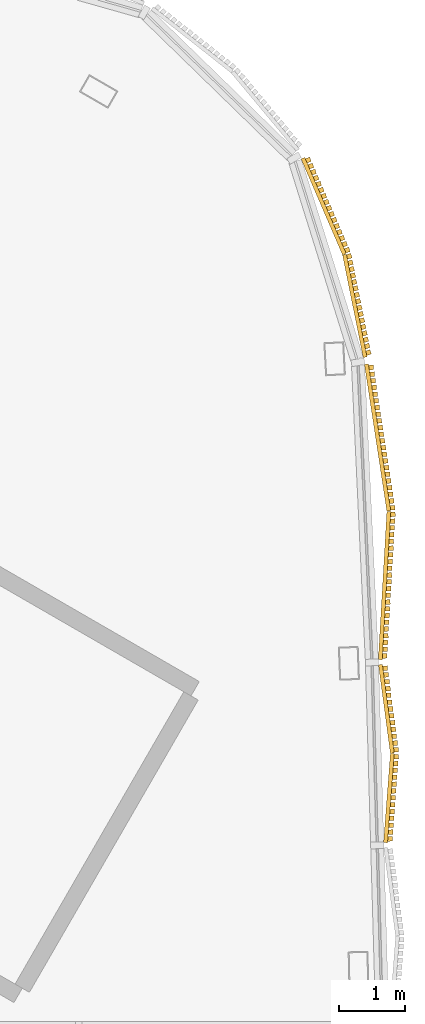
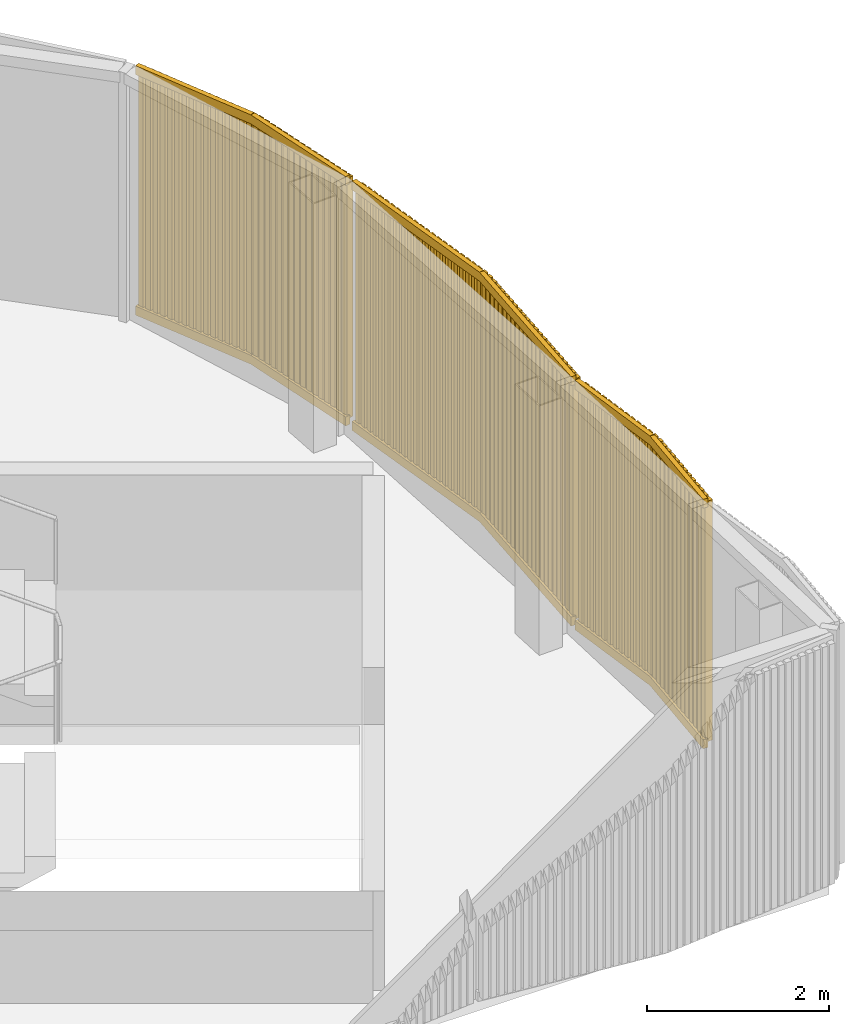
# One storey, part 15 of 16: 3 coverings.
"""IFC4 building model written with IfcOpenShell, lengths in metres."""

from ifc_helpers import new_model, si_unit, direction, frame, frame_2d, origin, place, context, subcontext, project, spatial, rectangle, extrude, source, transform, mapped, material, type_object, element, save


model = new_model("IFC4")

# Units and contexts
model_context = context("Model", 3, precision=1e-05, world=origin(), true_north=direction((0.0, 1.0)))
body_context = subcontext(model_context, "Body", "Model", "MODEL_VIEW")
ifc_project = project(units=[si_unit("LENGTHUNIT", "METRE"), si_unit("AREAUNIT", "SQUARE_METRE"), si_unit("VOLUMEUNIT", "CUBIC_METRE"), si_unit("PLANEANGLEUNIT", "RADIAN"), si_unit("MASSUNIT", "GRAM", prefix="KILO")], contexts=[model_context])

# Site, building, storey
site_placement = place(None, origin())
site = spatial("IfcSite", under=ifc_project, at=site_placement, CompositionType="ELEMENT")
building_placement = place(site_placement, origin())
building = spatial("IfcBuilding", under=site, at=building_placement, Name="Tamra Quay Hotel Tower", CompositionType="ELEMENT")
storey_placement = place(building_placement, frame((0.0, 0.0, 324.199951171875)))
storey = spatial("IfcBuildingStorey", under=building, at=storey_placement, Name="Roof crown 2", CompositionType="ELEMENT", Elevation=324.199951171875)

# Coverings
ifc_material = material(Name="Terracotta baguette extruded", Category="masonry")
covering_type = type_object("IfcCoveringType", Name="BAGUETTE SCREEN CROWN H3350", PredefinedType="USERDEFINED", material=ifc_material)
shared_shape_1 = source(origin(), body_context, "Body", "SweptSolid", [
    extrude(rectangle(XDim=2.244873046875, YDim=0.06005859375, at=frame_2d((1.12255859375, 0.030029296875))), frame((-2.23876953125, -0.0576171875, -0.1201171875), z_axis=(0.0, 0.0, 1.0), x_axis=(0.994521895368, -0.104528463268, 0.0)), (0.0, 0.0, 1.0), 0.1201171875),
    extrude(rectangle(XDim=2.244873046875, YDim=0.06005859375, at=frame_2d((1.12255859375, 0.030029296875))), frame((-2.23876953125, -0.0576171875, -3.35009765625), z_axis=(0.0, 0.0, 1.0), x_axis=(0.994521895368, -0.104528463268, 0.0)), (0.0, 0.0, 1.0), 0.1201171875),
    extrude(rectangle(XDim=0.070068359375, YDim=0.10009765625, at=frame_2d((0.03515625, 0.050048828125))), frame((-2.216796875, -0.13330078125, -3.2900390625)), (0.0, 0.0, 1.0), 3.22998046875),
    extrude(rectangle(XDim=0.070068359375, YDim=0.10009765625, at=frame_2d((0.03515625, 0.050048828125))), frame((-2.115234375, -0.14404296875, -3.2900390625)), (0.0, 0.0, 1.0), 3.22998046875),
    extrude(rectangle(XDim=0.070068359375, YDim=0.10009765625, at=frame_2d((0.03515625, 0.050048828125))), frame((-2.013916015625, -0.154541015625, -3.2900390625)), (0.0, 0.0, 1.0), 3.22998046875),
    extrude(rectangle(XDim=0.070068359375, YDim=0.10009765625, at=frame_2d((0.03515625, 0.050048828125))), frame((-1.912353515625, -0.165283203125, -3.2900390625)), (0.0, 0.0, 1.0), 3.22998046875),
    extrude(rectangle(XDim=0.070068359375, YDim=0.10009765625, at=frame_2d((0.03515625, 0.050048828125))), frame((-1.810791015625, -0.176025390625, -3.2900390625)), (0.0, 0.0, 1.0), 3.22998046875),
    extrude(rectangle(XDim=0.070068359375, YDim=0.10009765625, at=frame_2d((0.03515625, 0.050048828125))), frame((-1.70947265625, -0.186767578125, -3.2900390625)), (0.0, 0.0, 1.0), 3.22998046875),
    extrude(rectangle(XDim=0.070068359375, YDim=0.10009765625, at=frame_2d((0.03515625, 0.050048828125))), frame((-1.60791015625, -0.197265625, -3.2900390625)), (0.0, 0.0, 1.0), 3.22998046875),
    extrude(rectangle(XDim=0.070068359375, YDim=0.10009765625, at=frame_2d((0.03515625, 0.050048828125))), frame((-1.50634765625, -0.2080078125, -3.2900390625)), (0.0, 0.0, 1.0), 3.22998046875),
    extrude(rectangle(XDim=0.070068359375, YDim=0.10009765625, at=frame_2d((0.03515625, 0.050048828125))), frame((-1.405029296875, -0.21875, -3.2900390625)), (0.0, 0.0, 1.0), 3.22998046875),
    extrude(rectangle(XDim=0.070068359375, YDim=0.10009765625, at=frame_2d((0.03515625, 0.050048828125))), frame((-1.303466796875, -0.229248046875, -3.2900390625)), (0.0, 0.0, 1.0), 3.22998046875),
    extrude(rectangle(XDim=0.070068359375, YDim=0.10009765625, at=frame_2d((0.03515625, 0.050048828125))), frame((-1.201904296875, -0.239990234375, -3.2900390625)), (0.0, 0.0, 1.0), 3.22998046875),
    extrude(rectangle(XDim=0.070068359375, YDim=0.10009765625, at=frame_2d((0.03515625, 0.050048828125))), frame((-1.1005859375, -0.250732421875, -3.2900390625)), (0.0, 0.0, 1.0), 3.22998046875),
    extrude(rectangle(XDim=0.070068359375, YDim=0.10009765625, at=frame_2d((0.03515625, 0.050048828125))), frame((-0.9990234375, -0.26123046875, -3.2900390625)), (0.0, 0.0, 1.0), 3.22998046875),
    extrude(rectangle(XDim=0.070068359375, YDim=0.10009765625, at=frame_2d((0.03515625, 0.050048828125))), frame((-0.8974609375, -0.27197265625, -3.2900390625)), (0.0, 0.0, 1.0), 3.22998046875),
    extrude(rectangle(XDim=0.070068359375, YDim=0.10009765625, at=frame_2d((0.03515625, 0.050048828125))), frame((-0.796142578125, -0.28271484375, -3.2900390625)), (0.0, 0.0, 1.0), 3.22998046875),
    extrude(rectangle(XDim=0.070068359375, YDim=0.10009765625, at=frame_2d((0.03515625, 0.050048828125))), frame((-0.694580078125, -0.293212890625, -3.2900390625)), (0.0, 0.0, 1.0), 3.22998046875),
    extrude(rectangle(XDim=0.070068359375, YDim=0.10009765625, at=frame_2d((0.03515625, 0.050048828125))), frame((-0.593017578125, -0.303955078125, -3.2900390625)), (0.0, 0.0, 1.0), 3.22998046875),
    extrude(rectangle(XDim=0.070068359375, YDim=0.10009765625, at=frame_2d((0.03515625, 0.050048828125))), frame((-0.49169921875, -0.314697265625, -3.2900390625)), (0.0, 0.0, 1.0), 3.22998046875),
    extrude(rectangle(XDim=0.070068359375, YDim=0.10009765625, at=frame_2d((0.03515625, 0.050048828125))), frame((-0.39013671875, -0.325439453125, -3.2900390625)), (0.0, 0.0, 1.0), 3.22998046875),
    extrude(rectangle(XDim=0.070068359375, YDim=0.10009765625, at=frame_2d((0.03515625, 0.050048828125))), frame((-0.28857421875, -0.3359375, -3.2900390625)), (0.0, 0.0, 1.0), 3.22998046875),
    extrude(rectangle(XDim=0.070068359375, YDim=0.10009765625, at=frame_2d((0.03515625, 0.050048828125))), frame((-0.187255859375, -0.3466796875, -3.2900390625)), (0.0, 0.0, 1.0), 3.22998046875),
    extrude(rectangle(XDim=0.070068359375, YDim=0.10009765625, at=frame_2d((0.03515625, 0.050048828125))), frame((-0.085693359375, -0.357421875, -3.2900390625)), (0.0, 0.0, 1.0), 3.22998046875),
    extrude(rectangle(XDim=2.244873046875, YDim=0.06005859375, at=frame_2d((1.12255859375, 0.030029296875))), frame((0.00634765625, -0.292236328125, -0.1201171875), z_axis=(0.0, 0.0, 1.0), x_axis=(0.994521895368, 0.104528463268, 0.0)), (0.0, 0.0, 1.0), 0.1201171875),
    extrude(rectangle(XDim=2.244873046875, YDim=0.06005859375, at=frame_2d((1.12255859375, 0.030029296875))), frame((0.00634765625, -0.292236328125, -3.35009765625), z_axis=(0.0, 0.0, 1.0), x_axis=(0.994521895368, 0.104528463268, 0.0)), (0.0, 0.0, 1.0), 0.1201171875),
    extrude(rectangle(XDim=0.070068359375, YDim=0.10009765625, at=frame_2d((0.03515625, 0.050048828125))), frame((0.015625, -0.357421875, -3.2900390625)), (0.0, 0.0, 1.0), 3.22998046875),
    extrude(rectangle(XDim=0.070068359375, YDim=0.10009765625, at=frame_2d((0.03515625, 0.050048828125))), frame((0.1171875, -0.3466796875, -3.2900390625)), (0.0, 0.0, 1.0), 3.22998046875),
    extrude(rectangle(XDim=0.070068359375, YDim=0.10009765625, at=frame_2d((0.03515625, 0.050048828125))), frame((0.21875, -0.3359375, -3.2900390625)), (0.0, 0.0, 1.0), 3.22998046875),
    extrude(rectangle(XDim=0.070068359375, YDim=0.10009765625, at=frame_2d((0.03515625, 0.050048828125))), frame((0.320068359375, -0.325439453125, -3.2900390625)), (0.0, 0.0, 1.0), 3.22998046875),
    extrude(rectangle(XDim=0.070068359375, YDim=0.10009765625, at=frame_2d((0.03515625, 0.050048828125))), frame((0.421630859375, -0.314697265625, -3.2900390625)), (0.0, 0.0, 1.0), 3.22998046875),
    extrude(rectangle(XDim=0.070068359375, YDim=0.10009765625, at=frame_2d((0.03515625, 0.050048828125))), frame((0.523193359375, -0.303955078125, -3.2900390625)), (0.0, 0.0, 1.0), 3.22998046875),
    extrude(rectangle(XDim=0.070068359375, YDim=0.10009765625, at=frame_2d((0.03515625, 0.050048828125))), frame((0.62451171875, -0.293212890625, -3.2900390625)), (0.0, 0.0, 1.0), 3.22998046875),
    extrude(rectangle(XDim=0.070068359375, YDim=0.10009765625, at=frame_2d((0.03515625, 0.050048828125))), frame((0.72607421875, -0.28271484375, -3.2900390625)), (0.0, 0.0, 1.0), 3.22998046875),
    extrude(rectangle(XDim=0.070068359375, YDim=0.10009765625, at=frame_2d((0.03515625, 0.050048828125))), frame((0.82763671875, -0.27197265625, -3.2900390625)), (0.0, 0.0, 1.0), 3.22998046875),
    extrude(rectangle(XDim=0.070068359375, YDim=0.10009765625, at=frame_2d((0.03515625, 0.050048828125))), frame((0.928955078125, -0.26123046875, -3.2900390625)), (0.0, 0.0, 1.0), 3.22998046875),
    extrude(rectangle(XDim=0.070068359375, YDim=0.10009765625, at=frame_2d((0.03515625, 0.050048828125))), frame((1.030517578125, -0.250732421875, -3.2900390625)), (0.0, 0.0, 1.0), 3.22998046875),
    extrude(rectangle(XDim=0.070068359375, YDim=0.10009765625, at=frame_2d((0.03515625, 0.050048828125))), frame((1.132080078125, -0.239990234375, -3.2900390625)), (0.0, 0.0, 1.0), 3.22998046875),
    extrude(rectangle(XDim=0.070068359375, YDim=0.10009765625, at=frame_2d((0.03515625, 0.050048828125))), frame((1.2333984375, -0.229248046875, -3.2900390625)), (0.0, 0.0, 1.0), 3.22998046875),
    extrude(rectangle(XDim=0.070068359375, YDim=0.10009765625, at=frame_2d((0.03515625, 0.050048828125))), frame((1.3349609375, -0.21875, -3.2900390625)), (0.0, 0.0, 1.0), 3.22998046875),
    extrude(rectangle(XDim=0.070068359375, YDim=0.10009765625, at=frame_2d((0.03515625, 0.050048828125))), frame((1.4365234375, -0.2080078125, -3.2900390625)), (0.0, 0.0, 1.0), 3.22998046875),
    extrude(rectangle(XDim=0.070068359375, YDim=0.10009765625, at=frame_2d((0.03515625, 0.050048828125))), frame((1.537841796875, -0.197265625, -3.2900390625)), (0.0, 0.0, 1.0), 3.22998046875),
    extrude(rectangle(XDim=0.070068359375, YDim=0.10009765625, at=frame_2d((0.03515625, 0.050048828125))), frame((1.639404296875, -0.186767578125, -3.2900390625)), (0.0, 0.0, 1.0), 3.22998046875),
    extrude(rectangle(XDim=0.070068359375, YDim=0.10009765625, at=frame_2d((0.03515625, 0.050048828125))), frame((1.740966796875, -0.176025390625, -3.2900390625)), (0.0, 0.0, 1.0), 3.22998046875),
    extrude(rectangle(XDim=0.070068359375, YDim=0.10009765625, at=frame_2d((0.03515625, 0.050048828125))), frame((1.84228515625, -0.165283203125, -3.2900390625)), (0.0, 0.0, 1.0), 3.22998046875),
    extrude(rectangle(XDim=0.070068359375, YDim=0.10009765625, at=frame_2d((0.03515625, 0.050048828125))), frame((1.94384765625, -0.154541015625, -3.2900390625)), (0.0, 0.0, 1.0), 3.22998046875),
    extrude(rectangle(XDim=0.070068359375, YDim=0.10009765625, at=frame_2d((0.03515625, 0.050048828125))), frame((2.045166015625, -0.14404296875, -3.2900390625)), (0.0, 0.0, 1.0), 3.22998046875),
    extrude(rectangle(XDim=0.070068359375, YDim=0.10009765625, at=frame_2d((0.03515625, 0.050048828125))), frame((2.146728515625, -0.13330078125, -3.2900390625)), (0.0, 0.0, 1.0), 3.22998046875),
])
covering_1_placement = place(storey_placement, frame((15.759521484375, 13.80078125, 3.35009765625), z_axis=(0.0, 0.0, 1.0), x_axis=(-0.046821305973, 0.998903281257, 0.0)))
element("IfcCovering", 1, at=covering_1_placement, inside=storey, type_object=covering_type, Name="Baguette screen Roof crown 2.A.f00", ObjectType="BAGUETTE SCREEN", PredefinedType="USERDEFINED", context=body_context, shape_type="MappedRepresentation", body=[
    mapped(shared_shape_1, transform((0.0, 0.0, 0.0), scale=1.0)),
])
shared_shape_2 = source(origin(), body_context, "Body", "SweptSolid", [
    extrude(rectangle(XDim=1.5810546875, YDim=0.06005859375, at=frame_2d((0.79052734375, 0.030029296875))), frame((-1.578857421875, -0.0576171875, -0.1201171875), z_axis=(0.0, 0.0, 1.0), x_axis=(0.994521895368, -0.104528463268, 0.0)), (0.0, 0.0, 1.0), 0.1201171875),
    extrude(rectangle(XDim=1.5810546875, YDim=0.06005859375, at=frame_2d((0.79052734375, 0.030029296875))), frame((-1.578857421875, -0.0576171875, -3.35009765625), z_axis=(0.0, 0.0, 1.0), x_axis=(0.994521895368, -0.104528463268, 0.0)), (0.0, 0.0, 1.0), 0.1201171875),
    extrude(rectangle(XDim=0.070068359375, YDim=0.10009765625, at=frame_2d((0.03515625, 0.050048828125))), frame((-1.558349609375, -0.133056640625, -3.2900390625)), (0.0, 0.0, 1.0), 3.22998046875),
    extrude(rectangle(XDim=0.070068359375, YDim=0.10009765625, at=frame_2d((0.03515625, 0.050048828125))), frame((-1.4599609375, -0.1435546875, -3.2900390625)), (0.0, 0.0, 1.0), 3.22998046875),
    extrude(rectangle(XDim=0.070068359375, YDim=0.10009765625, at=frame_2d((0.03515625, 0.050048828125))), frame((-1.36181640625, -0.15380859375, -3.2900390625)), (0.0, 0.0, 1.0), 3.22998046875),
    extrude(rectangle(XDim=0.070068359375, YDim=0.10009765625, at=frame_2d((0.03515625, 0.050048828125))), frame((-1.263427734375, -0.1640625, -3.2900390625)), (0.0, 0.0, 1.0), 3.22998046875),
    extrude(rectangle(XDim=0.070068359375, YDim=0.10009765625, at=frame_2d((0.03515625, 0.050048828125))), frame((-1.165283203125, -0.174560546875, -3.2900390625)), (0.0, 0.0, 1.0), 3.22998046875),
    extrude(rectangle(XDim=0.070068359375, YDim=0.10009765625, at=frame_2d((0.03515625, 0.050048828125))), frame((-1.06689453125, -0.184814453125, -3.2900390625)), (0.0, 0.0, 1.0), 3.22998046875),
    extrude(rectangle(XDim=0.070068359375, YDim=0.10009765625, at=frame_2d((0.03515625, 0.050048828125))), frame((-0.96875, -0.195068359375, -3.2900390625)), (0.0, 0.0, 1.0), 3.22998046875),
    extrude(rectangle(XDim=0.070068359375, YDim=0.10009765625, at=frame_2d((0.03515625, 0.050048828125))), frame((-0.870361328125, -0.20556640625, -3.2900390625)), (0.0, 0.0, 1.0), 3.22998046875),
    extrude(rectangle(XDim=0.070068359375, YDim=0.10009765625, at=frame_2d((0.03515625, 0.050048828125))), frame((-0.772216796875, -0.2158203125, -3.2900390625)), (0.0, 0.0, 1.0), 3.22998046875),
    extrude(rectangle(XDim=0.070068359375, YDim=0.10009765625, at=frame_2d((0.03515625, 0.050048828125))), frame((-0.673828125, -0.22607421875, -3.2900390625)), (0.0, 0.0, 1.0), 3.22998046875),
    extrude(rectangle(XDim=0.070068359375, YDim=0.10009765625, at=frame_2d((0.03515625, 0.050048828125))), frame((-0.575439453125, -0.236572265625, -3.2900390625)), (0.0, 0.0, 1.0), 3.22998046875),
    extrude(rectangle(XDim=0.070068359375, YDim=0.10009765625, at=frame_2d((0.03515625, 0.050048828125))), frame((-0.477294921875, -0.246826171875, -3.2900390625)), (0.0, 0.0, 1.0), 3.22998046875),
    extrude(rectangle(XDim=0.070068359375, YDim=0.10009765625, at=frame_2d((0.03515625, 0.050048828125))), frame((-0.37890625, -0.257080078125, -3.2900390625)), (0.0, 0.0, 1.0), 3.22998046875),
    extrude(rectangle(XDim=0.070068359375, YDim=0.10009765625, at=frame_2d((0.03515625, 0.050048828125))), frame((-0.28076171875, -0.267333984375, -3.2900390625)), (0.0, 0.0, 1.0), 3.22998046875),
    extrude(rectangle(XDim=0.070068359375, YDim=0.10009765625, at=frame_2d((0.03515625, 0.050048828125))), frame((-0.182373046875, -0.27783203125, -3.2900390625)), (0.0, 0.0, 1.0), 3.22998046875),
    extrude(rectangle(XDim=0.070068359375, YDim=0.10009765625, at=frame_2d((0.03515625, 0.050048828125))), frame((-0.084228515625, -0.2880859375, -3.2900390625)), (0.0, 0.0, 1.0), 3.22998046875),
    extrude(rectangle(XDim=1.5810546875, YDim=0.06005859375, at=frame_2d((0.79052734375, 0.030029296875))), frame((0.00634765625, -0.222900390625, -0.1201171875), z_axis=(0.0, 0.0, 1.0), x_axis=(0.994521895368, 0.104528463268, 0.0)), (0.0, 0.0, 1.0), 0.1201171875),
    extrude(rectangle(XDim=1.5810546875, YDim=0.06005859375, at=frame_2d((0.79052734375, 0.030029296875))), frame((0.00634765625, -0.222900390625, -3.35009765625), z_axis=(0.0, 0.0, 1.0), x_axis=(0.994521895368, 0.104528463268, 0.0)), (0.0, 0.0, 1.0), 0.1201171875),
    extrude(rectangle(XDim=0.070068359375, YDim=0.10009765625, at=frame_2d((0.03515625, 0.050048828125))), frame((0.01416015625, -0.2880859375, -3.2900390625)), (0.0, 0.0, 1.0), 3.22998046875),
    extrude(rectangle(XDim=0.070068359375, YDim=0.10009765625, at=frame_2d((0.03515625, 0.050048828125))), frame((0.1123046875, -0.27783203125, -3.2900390625)), (0.0, 0.0, 1.0), 3.22998046875),
    extrude(rectangle(XDim=0.070068359375, YDim=0.10009765625, at=frame_2d((0.03515625, 0.050048828125))), frame((0.210693359375, -0.267333984375, -3.2900390625)), (0.0, 0.0, 1.0), 3.22998046875),
    extrude(rectangle(XDim=0.070068359375, YDim=0.10009765625, at=frame_2d((0.03515625, 0.050048828125))), frame((0.30908203125, -0.257080078125, -3.2900390625)), (0.0, 0.0, 1.0), 3.22998046875),
    extrude(rectangle(XDim=0.070068359375, YDim=0.10009765625, at=frame_2d((0.03515625, 0.050048828125))), frame((0.4072265625, -0.246826171875, -3.2900390625)), (0.0, 0.0, 1.0), 3.22998046875),
    extrude(rectangle(XDim=0.070068359375, YDim=0.10009765625, at=frame_2d((0.03515625, 0.050048828125))), frame((0.505615234375, -0.236572265625, -3.2900390625)), (0.0, 0.0, 1.0), 3.22998046875),
    extrude(rectangle(XDim=0.070068359375, YDim=0.10009765625, at=frame_2d((0.03515625, 0.050048828125))), frame((0.603759765625, -0.22607421875, -3.2900390625)), (0.0, 0.0, 1.0), 3.22998046875),
    extrude(rectangle(XDim=0.070068359375, YDim=0.10009765625, at=frame_2d((0.03515625, 0.050048828125))), frame((0.7021484375, -0.2158203125, -3.2900390625)), (0.0, 0.0, 1.0), 3.22998046875),
    extrude(rectangle(XDim=0.070068359375, YDim=0.10009765625, at=frame_2d((0.03515625, 0.050048828125))), frame((0.80029296875, -0.20556640625, -3.2900390625)), (0.0, 0.0, 1.0), 3.22998046875),
    extrude(rectangle(XDim=0.070068359375, YDim=0.10009765625, at=frame_2d((0.03515625, 0.050048828125))), frame((0.898681640625, -0.195068359375, -3.2900390625)), (0.0, 0.0, 1.0), 3.22998046875),
    extrude(rectangle(XDim=0.070068359375, YDim=0.10009765625, at=frame_2d((0.03515625, 0.050048828125))), frame((0.9970703125, -0.184814453125, -3.2900390625)), (0.0, 0.0, 1.0), 3.22998046875),
    extrude(rectangle(XDim=0.070068359375, YDim=0.10009765625, at=frame_2d((0.03515625, 0.050048828125))), frame((1.09521484375, -0.174560546875, -3.2900390625)), (0.0, 0.0, 1.0), 3.22998046875),
    extrude(rectangle(XDim=0.070068359375, YDim=0.10009765625, at=frame_2d((0.03515625, 0.050048828125))), frame((1.193603515625, -0.1640625, -3.2900390625)), (0.0, 0.0, 1.0), 3.22998046875),
    extrude(rectangle(XDim=0.070068359375, YDim=0.10009765625, at=frame_2d((0.03515625, 0.050048828125))), frame((1.291748046875, -0.15380859375, -3.2900390625)), (0.0, 0.0, 1.0), 3.22998046875),
    extrude(rectangle(XDim=0.070068359375, YDim=0.10009765625, at=frame_2d((0.03515625, 0.050048828125))), frame((1.39013671875, -0.1435546875, -3.2900390625)), (0.0, 0.0, 1.0), 3.22998046875),
    extrude(rectangle(XDim=0.070068359375, YDim=0.10009765625, at=frame_2d((0.03515625, 0.050048828125))), frame((1.48828125, -0.133056640625, -3.2900390625)), (0.0, 0.0, 1.0), 3.22998046875),
])
covering_2_placement = place(storey_placement, frame((15.16650390625, 17.6357421875, 3.35009765625), z_axis=(0.0, 0.0, 1.0), x_axis=(-0.29839239288, 0.954443282689, 0.0)))
element("IfcCovering", 2, at=covering_2_placement, inside=storey, type_object=covering_type, Name="Baguette screen Roof crown 2.A.f01", ObjectType="BAGUETTE SCREEN", PredefinedType="USERDEFINED", context=body_context, shape_type="MappedRepresentation", body=[
    mapped(shared_shape_2, transform((0.0, 0.0, 0.0), scale=1.0)),
])
shared_shape_3 = source(origin(), body_context, "Body", "SweptSolid", [
    extrude(rectangle(XDim=1.349853515625, YDim=0.06005859375, at=frame_2d((0.6748046875, 0.030029296875))), frame((-1.348876953125, -0.0576171875, -0.1201171875), z_axis=(0.0, 0.0, 1.0), x_axis=(0.994521895368, -0.104528463268, 0.0)), (0.0, 0.0, 1.0), 0.1201171875),
    extrude(rectangle(XDim=1.349853515625, YDim=0.06005859375, at=frame_2d((0.6748046875, 0.030029296875))), frame((-1.348876953125, -0.0576171875, -3.35009765625), z_axis=(0.0, 0.0, 1.0), x_axis=(0.994521895368, -0.104528463268, 0.0)), (0.0, 0.0, 1.0), 0.1201171875),
    extrude(rectangle(XDim=0.070068359375, YDim=0.10009765625, at=frame_2d((0.03515625, 0.050048828125))), frame((-1.325927734375, -0.133544921875, -3.2900390625)), (0.0, 0.0, 1.0), 3.22998046875),
    extrude(rectangle(XDim=0.070068359375, YDim=0.10009765625, at=frame_2d((0.03515625, 0.050048828125))), frame((-1.22265625, -0.144287109375, -3.2900390625)), (0.0, 0.0, 1.0), 3.22998046875),
    extrude(rectangle(XDim=0.070068359375, YDim=0.10009765625, at=frame_2d((0.03515625, 0.050048828125))), frame((-1.119384765625, -0.155029296875, -3.2900390625)), (0.0, 0.0, 1.0), 3.22998046875),
    extrude(rectangle(XDim=0.070068359375, YDim=0.10009765625, at=frame_2d((0.03515625, 0.050048828125))), frame((-1.01611328125, -0.166015625, -3.2900390625)), (0.0, 0.0, 1.0), 3.22998046875),
    extrude(rectangle(XDim=0.070068359375, YDim=0.10009765625, at=frame_2d((0.03515625, 0.050048828125))), frame((-0.912841796875, -0.1767578125, -3.2900390625)), (0.0, 0.0, 1.0), 3.22998046875),
    extrude(rectangle(XDim=0.070068359375, YDim=0.10009765625, at=frame_2d((0.03515625, 0.050048828125))), frame((-0.8095703125, -0.187744140625, -3.2900390625)), (0.0, 0.0, 1.0), 3.22998046875),
    extrude(rectangle(XDim=0.070068359375, YDim=0.10009765625, at=frame_2d((0.03515625, 0.050048828125))), frame((-0.706298828125, -0.198486328125, -3.2900390625)), (0.0, 0.0, 1.0), 3.22998046875),
    extrude(rectangle(XDim=0.070068359375, YDim=0.10009765625, at=frame_2d((0.03515625, 0.050048828125))), frame((-0.60302734375, -0.20947265625, -3.2900390625)), (0.0, 0.0, 1.0), 3.22998046875),
    extrude(rectangle(XDim=0.070068359375, YDim=0.10009765625, at=frame_2d((0.03515625, 0.050048828125))), frame((-0.499755859375, -0.22021484375, -3.2900390625)), (0.0, 0.0, 1.0), 3.22998046875),
    extrude(rectangle(XDim=0.070068359375, YDim=0.10009765625, at=frame_2d((0.03515625, 0.050048828125))), frame((-0.396484375, -0.231201171875, -3.2900390625)), (0.0, 0.0, 1.0), 3.22998046875),
    extrude(rectangle(XDim=0.070068359375, YDim=0.10009765625, at=frame_2d((0.03515625, 0.050048828125))), frame((-0.293212890625, -0.241943359375, -3.2900390625)), (0.0, 0.0, 1.0), 3.22998046875),
    extrude(rectangle(XDim=0.070068359375, YDim=0.10009765625, at=frame_2d((0.03515625, 0.050048828125))), frame((-0.18994140625, -0.2529296875, -3.2900390625)), (0.0, 0.0, 1.0), 3.22998046875),
    extrude(rectangle(XDim=0.070068359375, YDim=0.10009765625, at=frame_2d((0.03515625, 0.050048828125))), frame((-0.086669921875, -0.263671875, -3.2900390625)), (0.0, 0.0, 1.0), 3.22998046875),
    extrude(rectangle(XDim=1.349853515625, YDim=0.06005859375, at=frame_2d((0.6748046875, 0.030029296875))), frame((0.00634765625, -0.19873046875, -0.1201171875), z_axis=(0.0, 0.0, 1.0), x_axis=(0.994521895368, 0.104528463268, 0.0)), (0.0, 0.0, 1.0), 0.1201171875),
    extrude(rectangle(XDim=1.349853515625, YDim=0.06005859375, at=frame_2d((0.6748046875, 0.030029296875))), frame((0.00634765625, -0.19873046875, -3.35009765625), z_axis=(0.0, 0.0, 1.0), x_axis=(0.994521895368, 0.104528463268, 0.0)), (0.0, 0.0, 1.0), 0.1201171875),
    extrude(rectangle(XDim=0.070068359375, YDim=0.10009765625, at=frame_2d((0.03515625, 0.050048828125))), frame((0.0166015625, -0.263671875, -3.2900390625)), (0.0, 0.0, 1.0), 3.22998046875),
    extrude(rectangle(XDim=0.070068359375, YDim=0.10009765625, at=frame_2d((0.03515625, 0.050048828125))), frame((0.119873046875, -0.2529296875, -3.2900390625)), (0.0, 0.0, 1.0), 3.22998046875),
    extrude(rectangle(XDim=0.070068359375, YDim=0.10009765625, at=frame_2d((0.03515625, 0.050048828125))), frame((0.22314453125, -0.241943359375, -3.2900390625)), (0.0, 0.0, 1.0), 3.22998046875),
    extrude(rectangle(XDim=0.070068359375, YDim=0.10009765625, at=frame_2d((0.03515625, 0.050048828125))), frame((0.326416015625, -0.231201171875, -3.2900390625)), (0.0, 0.0, 1.0), 3.22998046875),
    extrude(rectangle(XDim=0.070068359375, YDim=0.10009765625, at=frame_2d((0.03515625, 0.050048828125))), frame((0.4296875, -0.22021484375, -3.2900390625)), (0.0, 0.0, 1.0), 3.22998046875),
    extrude(rectangle(XDim=0.070068359375, YDim=0.10009765625, at=frame_2d((0.03515625, 0.050048828125))), frame((0.532958984375, -0.20947265625, -3.2900390625)), (0.0, 0.0, 1.0), 3.22998046875),
    extrude(rectangle(XDim=0.070068359375, YDim=0.10009765625, at=frame_2d((0.03515625, 0.050048828125))), frame((0.63623046875, -0.198486328125, -3.2900390625)), (0.0, 0.0, 1.0), 3.22998046875),
    extrude(rectangle(XDim=0.070068359375, YDim=0.10009765625, at=frame_2d((0.03515625, 0.050048828125))), frame((0.739501953125, -0.187744140625, -3.2900390625)), (0.0, 0.0, 1.0), 3.22998046875),
    extrude(rectangle(XDim=0.070068359375, YDim=0.10009765625, at=frame_2d((0.03515625, 0.050048828125))), frame((0.8427734375, -0.1767578125, -3.2900390625)), (0.0, 0.0, 1.0), 3.22998046875),
    extrude(rectangle(XDim=0.070068359375, YDim=0.10009765625, at=frame_2d((0.03515625, 0.050048828125))), frame((0.946044921875, -0.166015625, -3.2900390625)), (0.0, 0.0, 1.0), 3.22998046875),
    extrude(rectangle(XDim=0.070068359375, YDim=0.10009765625, at=frame_2d((0.03515625, 0.050048828125))), frame((1.04931640625, -0.155029296875, -3.2900390625)), (0.0, 0.0, 1.0), 3.22998046875),
    extrude(rectangle(XDim=0.070068359375, YDim=0.10009765625, at=frame_2d((0.03515625, 0.050048828125))), frame((1.152587890625, -0.144287109375, -3.2900390625)), (0.0, 0.0, 1.0), 3.22998046875),
    extrude(rectangle(XDim=0.070068359375, YDim=0.10009765625, at=frame_2d((0.03515625, 0.050048828125))), frame((1.255859375, -0.133544921875, -3.2900390625)), (0.0, 0.0, 1.0), 3.22998046875),
])
covering_3_placement = place(storey_placement, frame((15.905517578125, 10.149169921875, 3.35009765625), z_axis=(0.0, 0.0, 1.0), x_axis=(-0.028649831581, 0.999589509324, 0.0)))
element("IfcCovering", 3, at=covering_3_placement, inside=storey, type_object=covering_type, Name="Baguette screen Roof crown 2.A.f21", ObjectType="BAGUETTE SCREEN", PredefinedType="USERDEFINED", context=body_context, shape_type="MappedRepresentation", body=[
    mapped(shared_shape_3, transform((0.0, 0.0, 0.0), scale=1.0)),
])

save(model, "model.ifc")
